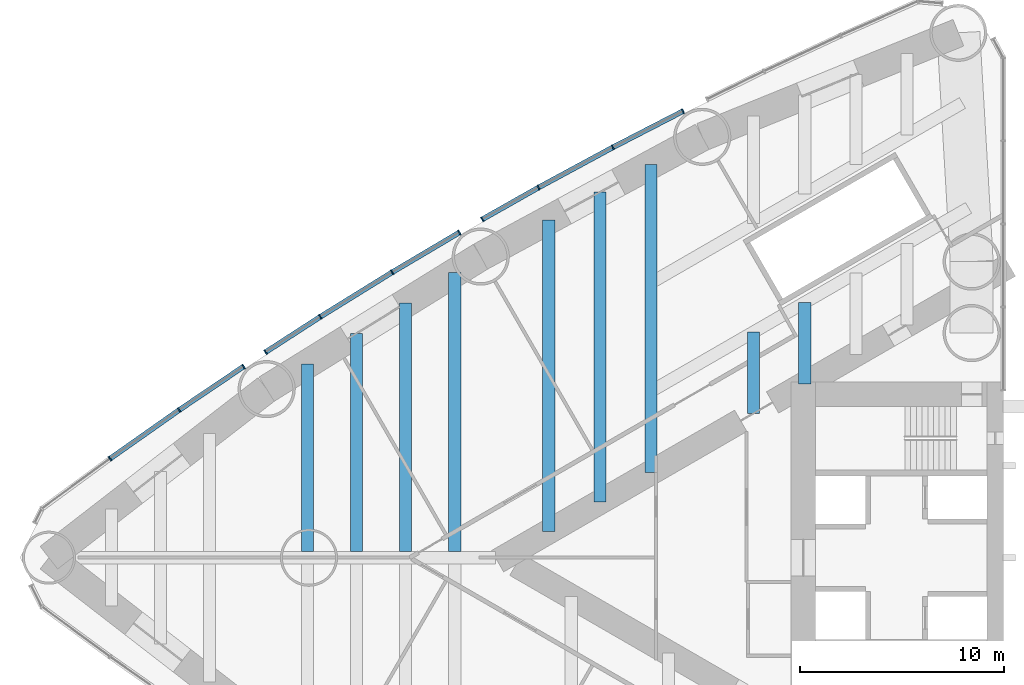
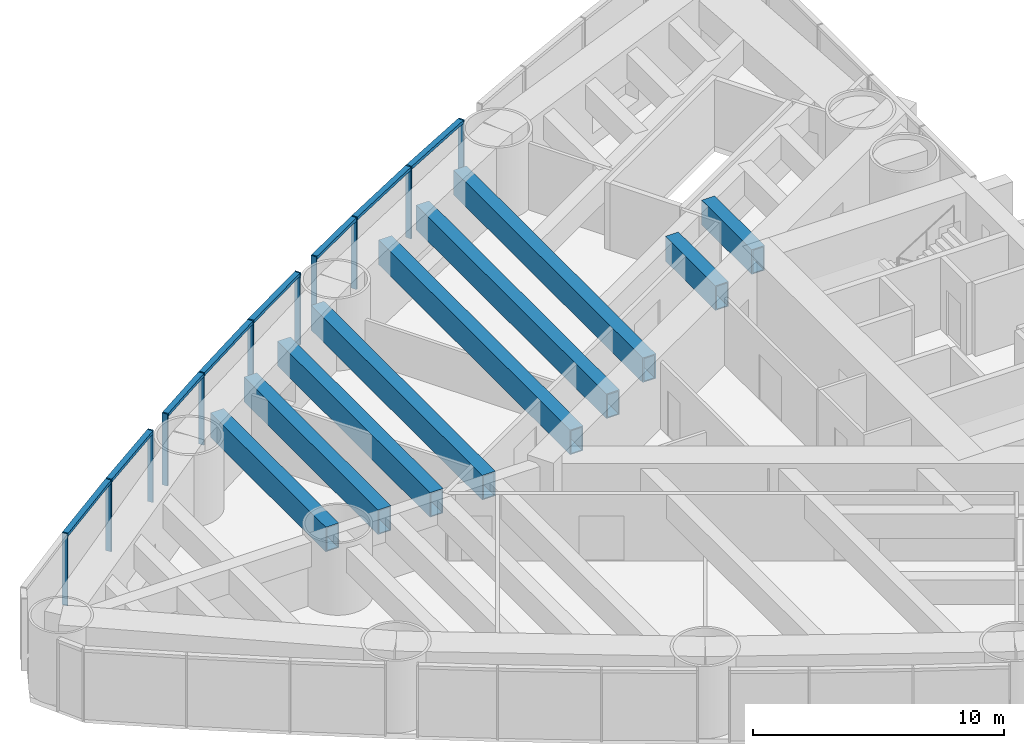
# One storey, part 4 of 20: 19 members, 9 beams, 3 elements without a shape of their own.
"""IFC4 building model written with IfcOpenShell, lengths in metres."""

from ifc_helpers import new_model, si_unit, direction, frame, origin, origin_2d, place, context, subcontext, project, spatial, rectangle, hollow_rectangle, extrude, material, material_profile, profile_set, type_object, element, aggregate, save


model = new_model("IFC4")

# Units and contexts
model_context = context("Model", 3, precision=1e-05, world=origin(), true_north=direction((0.0, 1.0)))
body_context = subcontext(model_context, "Body", "Model", "MODEL_VIEW")
ifc_project = project(units=[si_unit("LENGTHUNIT", "METRE"), si_unit("AREAUNIT", "SQUARE_METRE"), si_unit("VOLUMEUNIT", "CUBIC_METRE"), si_unit("PLANEANGLEUNIT", "RADIAN"), si_unit("MASSUNIT", "GRAM", prefix="KILO")], contexts=[model_context])

# Site, building, storey
site_placement = place(None, origin())
site = spatial("IfcSite", under=ifc_project, at=site_placement, CompositionType="ELEMENT")
building_placement = place(site_placement, origin())
building = spatial("IfcBuilding", under=site, at=building_placement, Name="Lancet Gate Hotel", CompositionType="ELEMENT")
storey_placement = place(building_placement, frame((0.0, 0.0, 77.5)))
storey = spatial("IfcBuildingStorey", under=building, at=storey_placement, Name="L20", CompositionType="ELEMENT", Elevation=77.5)

# Curtain wall, members
ifc_material_1 = material(Name="Aluminium curtain wall", Category="aluminium")
curtain_wall_type = type_object("IfcCurtainWallType", Name="Tower unitised curtain wall", PredefinedType="USERDEFINED", material=ifc_material_1)
curtain_wall_1_placement = place(storey_placement, origin())
curtain_wall_1 = element("IfcCurtainWall", 1, at=curtain_wall_1_placement, inside=storey, type_object=curtain_wall_type, Name="T1 L20 curtain wall 3", ObjectType="UNITISED CURTAIN WALL", PredefinedType="USERDEFINED")
ifc_material_2 = material(Name="Aluminium mullion", Category="aluminium")
ifc_material_profile_1 = material_profile(ifc_material_2, rectangle(XDim=0.06494140625, YDim=0.25, at=origin_2d()), Name="MULLION 65x250")
ifc_profile_set_1 = profile_set([ifc_material_profile_1], Name="Aluminium mullion")
member_type_1 = type_object("IfcMemberType", Name="Aluminium mullion 65x250", PredefinedType="MULLION", material=ifc_profile_set_1)
member_1_placement = place(storey_placement, frame((-43.188232421875, 21.864990234375, 0.0), z_axis=(0.0, 0.0, 1.0), x_axis=(-0.888844019644, -0.458209895946, 0.0)))
member_1 = element("IfcMember", 2, at=member_1_placement, type_object=member_type_1, Name="T1 L20 curtain wall 3 mullion 1", PredefinedType="MULLION", context=body_context, shape_type="SweptSolid", body=[
    extrude(rectangle(XDim=0.06494140625, YDim=0.25, at=origin_2d()), origin(), (0.0, 0.0, 1.0), 3.5),
])
member_2_placement = place(storey_placement, frame((-46.6220703125, 20.094970703125, 0.0), z_axis=(0.0, 0.0, 1.0), x_axis=(-0.884152609717, -0.467198204974, 0.0)))
member_2 = element("IfcMember", 3, at=member_2_placement, type_object=member_type_1, Name="T1 L20 curtain wall 3 mullion 2", PredefinedType="MULLION", context=body_context, shape_type="SweptSolid", body=[
    extrude(rectangle(XDim=0.06494140625, YDim=0.25, at=origin_2d()), origin(), (0.0, 0.0, 1.0), 3.5),
])
member_3_placement = place(storey_placement, frame((-50.26416015625, 18.1259765625, 0.0), z_axis=(0.0, 0.0, 1.0), x_axis=(-0.875625106041, -0.482991380534, 0.0)))
member_3 = element("IfcMember", 4, at=member_3_placement, type_object=member_type_1, Name="T1 L20 curtain wall 3 mullion 3", PredefinedType="MULLION", context=body_context, shape_type="SweptSolid", body=[
    extrude(rectangle(XDim=0.06494140625, YDim=0.25, at=origin_2d()), origin(), (0.0, 0.0, 1.0), 3.5),
])
member_4_placement = place(storey_placement, frame((-53.0166015625, 16.567626953125, 0.0), z_axis=(0.0, 0.0, 1.0), x_axis=(-0.870204720871, -0.492690312238, 0.0)))
member_4 = element("IfcMember", 5, at=member_4_placement, type_object=member_type_1, Name="T1 L20 curtain wall 3 mullion 4", PredefinedType="MULLION", context=body_context, shape_type="SweptSolid", body=[
    extrude(rectangle(XDim=0.06494140625, YDim=0.25, at=origin_2d()), origin(), (0.0, 0.0, 1.0), 3.5),
])

curtain_wall_2_placement = place(storey_placement, origin())
curtain_wall_2 = element("IfcCurtainWall", 6, at=curtain_wall_2_placement, inside=storey, type_object=curtain_wall_type, Name="T1 L20 curtain wall 4", ObjectType="UNITISED CURTAIN WALL", PredefinedType="USERDEFINED")
member_5_placement = place(storey_placement, frame((-54.138916015625, 15.925048828125, 0.0), z_axis=(0.0, 0.0, 1.0), x_axis=(-0.860381857795, -0.509649937484, 0.0)))
member_5 = element("IfcMember", 7, at=member_5_placement, type_object=member_type_1, Name="T1 L20 curtain wall 4 mullion 1", PredefinedType="MULLION", context=body_context, shape_type="SweptSolid", body=[
    extrude(rectangle(XDim=0.06494140625, YDim=0.25, at=origin_2d()), origin(), (0.0, 0.0, 1.0), 3.5),
])
member_6_placement = place(storey_placement, frame((-57.42919921875, 13.97607421875, 0.0), z_axis=(0.0, 0.0, 1.0), x_axis=(-0.855144689417, -0.51838939048, 0.0)))
member_6 = element("IfcMember", 8, at=member_6_placement, type_object=member_type_1, Name="T1 L20 curtain wall 4 mullion 2", PredefinedType="MULLION", context=body_context, shape_type="SweptSolid", body=[
    extrude(rectangle(XDim=0.06494140625, YDim=0.25, at=origin_2d()), origin(), (0.0, 0.0, 1.0), 3.5),
])
member_7_placement = place(storey_placement, frame((-60.949462890625, 11.796630859375, 0.0), z_axis=(0.0, 0.0, 1.0), x_axis=(-0.845709326915, -0.533643827256, 0.0)))
member_7 = element("IfcMember", 9, at=member_7_placement, type_object=member_type_1, Name="T1 L20 curtain wall 4 mullion 3", PredefinedType="MULLION", context=body_context, shape_type="SweptSolid", body=[
    extrude(rectangle(XDim=0.06494140625, YDim=0.25, at=origin_2d()), origin(), (0.0, 0.0, 1.0), 3.5),
])
member_8_placement = place(storey_placement, frame((-63.62646484375, 10.065673828125, 0.0), z_axis=(0.0, 0.0, 1.0), x_axis=(-0.839748568448, -0.54297545229, 0.0)))
member_8 = element("IfcMember", 10, at=member_8_placement, type_object=member_type_1, Name="T1 L20 curtain wall 4 mullion 4", PredefinedType="MULLION", context=body_context, shape_type="SweptSolid", body=[
    extrude(rectangle(XDim=0.06494140625, YDim=0.25, at=origin_2d()), origin(), (0.0, 0.0, 1.0), 3.5),
])

curtain_wall_3_placement = place(storey_placement, origin())
curtain_wall_3 = element("IfcCurtainWall", 11, at=curtain_wall_3_placement, inside=storey, type_object=curtain_wall_type, Name="T1 L20 curtain wall 5", ObjectType="UNITISED CURTAIN WALL", PredefinedType="USERDEFINED")
member_9_placement = place(storey_placement, frame((-64.7041015625, 9.361083984375, 0.0), z_axis=(0.0, 0.0, 1.0), x_axis=(-0.828946067803, -0.559328540907, 0.0)))
member_9 = element("IfcMember", 12, at=member_9_placement, type_object=member_type_1, Name="T1 L20 curtain wall 5 mullion 1", PredefinedType="MULLION", context=body_context, shape_type="SweptSolid", body=[
    extrude(rectangle(XDim=0.06494140625, YDim=0.25, at=origin_2d()), origin(), (0.0, 0.0, 1.0), 3.5),
])
member_10_placement = place(storey_placement, frame((-67.858154296875, 7.232666015625, 0.0), z_axis=(0.0, 0.0, 1.0), x_axis=(-0.823190540814, -0.567765209848, 0.0)))
member_10 = element("IfcMember", 13, at=member_10_placement, type_object=member_type_1, Name="T1 L20 curtain wall 5 mullion 2", PredefinedType="MULLION", context=body_context, shape_type="SweptSolid", body=[
    extrude(rectangle(XDim=0.06494140625, YDim=0.25, at=origin_2d()), origin(), (0.0, 0.0, 1.0), 3.5),
])
member_11_placement = place(storey_placement, frame((-71.244384765625, 4.85009765625, 0.0), z_axis=(0.0, 0.0, 1.0), x_axis=(-0.812146623168, -0.583453393578, 0.0)))
member_11 = element("IfcMember", 14, at=member_11_placement, type_object=member_type_1, Name="T1 L20 curtain wall 5 mullion 3", PredefinedType="MULLION", context=body_context, shape_type="SweptSolid", body=[
    extrude(rectangle(XDim=0.06494140625, YDim=0.25, at=origin_2d()), origin(), (0.0, 0.0, 1.0), 3.5),
])

# Member
ifc_material_3 = material(Name="Aluminium transom", Category="aluminium")
ifc_material_profile_2 = material_profile(ifc_material_3, rectangle(XDim=0.25, YDim=0.14990234375, at=origin_2d()), Name="TRANSOM 250x150")
ifc_profile_set_2 = profile_set([ifc_material_profile_2], Name="Aluminium transom")
member_type_2 = type_object("IfcMemberType", Name="Aluminium transom 250x150", PredefinedType="USERDEFINED", material=ifc_profile_set_2)
member_12_placement = place(storey_placement, frame((-43.21728515625, 21.85009765625, 3.425048828125), z_axis=(-0.888843667926, -0.458210578215, 0.0), x_axis=(0.458210578215, -0.888843667926, 0.0)))
member_12 = element("IfcMember", 15, at=member_12_placement, type_object=member_type_2, Name="T1 L20 curtain wall 3 transom 1", ObjectType="TRANSOM", PredefinedType="USERDEFINED", context=body_context, shape_type="SweptSolid", body=[
    extrude(rectangle(XDim=0.25, YDim=0.14990234375, at=origin_2d()), origin(), (0.0, 0.0, 1.0), 3.7978515625),
])

member_13_placement = place(storey_placement, frame((-46.650634765625, 20.079345703125, 3.425048828125), z_axis=(-0.87971396408, -0.475503250675, 0.0), x_axis=(0.475503250675, -0.87971396408, 0.0)))
member_13 = element("IfcMember", 16, at=member_13_placement, type_object=member_type_2, Name="T1 L20 curtain wall 3 transom 2", ObjectType="TRANSOM", PredefinedType="USERDEFINED", context=body_context, shape_type="SweptSolid", body=[
    extrude(rectangle(XDim=0.25, YDim=0.14990234375, at=origin_2d()), origin(), (0.0, 0.0, 1.0), 4.0751953125),
])

member_14_placement = place(storey_placement, frame((-50.29248046875, 18.110107421875, 3.425048828125), z_axis=(-0.870195654923, -0.49270632445, 0.0), x_axis=(0.49270632445, -0.870195654923, 0.0)))
member_14 = element("IfcMember", 17, at=member_14_placement, type_object=member_type_2, Name="T1 L20 curtain wall 3 transom 3", ObjectType="TRANSOM", PredefinedType="USERDEFINED", context=body_context, shape_type="SweptSolid", body=[
    extrude(rectangle(XDim=0.25, YDim=0.14990234375, at=origin_2d()), origin(), (0.0, 0.0, 1.0), 3.097900390625),
])

aggregate(curtain_wall_1, [member_1, member_2, member_3, member_4, member_12, member_13, member_14])

member_15_placement = place(storey_placement, frame((-54.1669921875, 15.908447265625, 3.425048828125), z_axis=(-0.860395955611, -0.509626137053, 0.0), x_axis=(0.509626137053, -0.860395955611, 0.0)))
member_15 = element("IfcMember", 18, at=member_15_placement, type_object=member_type_2, Name="T1 L20 curtain wall 4 transom 1", ObjectType="TRANSOM", PredefinedType="USERDEFINED", context=body_context, shape_type="SweptSolid", body=[
    extrude(rectangle(XDim=0.25, YDim=0.14990234375, at=origin_2d()), origin(), (0.0, 0.0, 1.0), 3.75927734375),
])

member_16_placement = place(storey_placement, frame((-57.456787109375, 13.958984375, 3.425048828125), z_axis=(-0.850242165643, -0.526391736032, 0.0), x_axis=(0.526391736032, -0.850242165643, 0.0)))
member_16 = element("IfcMember", 19, at=member_16_placement, type_object=member_type_2, Name="T1 L20 curtain wall 4 transom 2", ObjectType="TRANSOM", PredefinedType="USERDEFINED", context=body_context, shape_type="SweptSolid", body=[
    extrude(rectangle(XDim=0.25, YDim=0.14990234375, at=origin_2d()), origin(), (0.0, 0.0, 1.0), 4.075439453125),
])

member_17_placement = place(storey_placement, frame((-60.976806640625, 11.779052734375, 3.425048828125), z_axis=(-0.839737903766, -0.542991945593, 0.0), x_axis=(0.542991945593, -0.839737903766, 0.0)))
member_17 = element("IfcMember", 20, at=member_17_placement, type_object=member_type_2, Name="T1 L20 curtain wall 4 transom 3", ObjectType="TRANSOM", PredefinedType="USERDEFINED", context=body_context, shape_type="SweptSolid", body=[
    extrude(rectangle(XDim=0.25, YDim=0.14990234375, at=origin_2d()), origin(), (0.0, 0.0, 1.0), 3.123046875),
])

aggregate(curtain_wall_2, [member_5, member_6, member_7, member_8, member_15, member_16, member_17])

member_18_placement = place(storey_placement, frame((-64.73095703125, 9.343017578125, 3.425048828125), z_axis=(-0.828934175642, -0.559346165137, 0.0), x_axis=(0.559346165137, -0.828934175642, 0.0)))
member_18 = element("IfcMember", 21, at=member_18_placement, type_object=member_type_2, Name="T1 L20 curtain wall 5 transom 1", ObjectType="TRANSOM", PredefinedType="USERDEFINED", context=body_context, shape_type="SweptSolid", body=[
    extrude(rectangle(XDim=0.25, YDim=0.14990234375, at=origin_2d()), origin(), (0.0, 0.0, 1.0), 3.740234375),
])

member_19_placement = place(storey_placement, frame((-67.884765625, 7.214111328125, 3.425048828125), z_axis=(-0.817833568345, -0.57545482402, 0.0), x_axis=(0.57545482402, -0.817833568345, 0.0)))
member_19 = element("IfcMember", 22, at=member_19_placement, type_object=member_type_2, Name="T1 L20 curtain wall 5 transom 2", ObjectType="TRANSOM", PredefinedType="USERDEFINED", context=body_context, shape_type="SweptSolid", body=[
    extrude(rectangle(XDim=0.25, YDim=0.14990234375, at=origin_2d()), origin(), (0.0, 0.0, 1.0), 4.075439453125),
])

aggregate(curtain_wall_3, [member_9, member_10, member_11, member_18, member_19])

# Beams
ifc_material_4 = material(Name="Steel S460QL", Category="steel")
ifc_material_profile_3 = material_profile(ifc_material_4, hollow_rectangle(XDim=0.60009765625, YDim=1.199951171875, WallThickness=0.050048828125, at=origin_2d()), Name="BOX 1200x600x50")
ifc_profile_set_3 = profile_set([ifc_material_profile_3], Name="Steel S460QL")
beam_type = type_object("IfcBeamType", Name="Refuge floor beam BOX 1200x600x50", PredefinedType="BEAM", material=ifc_profile_set_3)
beam_1_placement = place(storey_placement, frame((-44.747802734375, 19.254638671875, 2.64990234375), z_axis=(0.0, -1.0, 0.0), x_axis=(1.0, 0.0, 0.0)))
element("IfcBeam", 23, at=beam_1_placement, inside=storey, type_object=beam_type, Name="T1 floor beam F09S L20", PredefinedType="BEAM", context=body_context, shape_type="SweptSolid", body=[
    extrude(hollow_rectangle(XDim=0.60009765625, YDim=1.199951171875, WallThickness=0.050048828125, at=origin_2d()), origin(), (0.0, 0.0, 1.0), 15.0859375),
])
beam_2_placement = place(storey_placement, frame((-47.254638671875, 17.8994140625, 2.64990234375), z_axis=(0.0, -1.0, 0.0), x_axis=(1.0, 0.0, 0.0)))
element("IfcBeam", 24, at=beam_2_placement, inside=storey, type_object=beam_type, Name="T1 floor beam F10S L20", PredefinedType="BEAM", context=body_context, shape_type="SweptSolid", body=[
    extrude(hollow_rectangle(XDim=0.60009765625, YDim=1.199951171875, WallThickness=0.050048828125, at=origin_2d()), origin(), (0.0, 0.0, 1.0), 15.177978515625),
])
beam_3_placement = place(storey_placement, frame((-49.761474609375, 16.54443359375, 2.64990234375), z_axis=(0.0, -1.0, 0.0), x_axis=(1.0, 0.0, 0.0)))
element("IfcBeam", 25, at=beam_3_placement, inside=storey, type_object=beam_type, Name="T1 floor beam F12S L20", PredefinedType="BEAM", context=body_context, shape_type="SweptSolid", body=[
    extrude(hollow_rectangle(XDim=0.60009765625, YDim=1.199951171875, WallThickness=0.050048828125, at=origin_2d()), origin(), (0.0, 0.0, 1.0), 15.270263671875),
])
beam_4_placement = place(storey_placement, frame((-54.3681640625, 13.95361328125, 2.64990234375), z_axis=(0.0, -1.0, 0.0), x_axis=(1.0, 0.0, 0.0)))
element("IfcBeam", 26, at=beam_4_placement, inside=storey, type_object=beam_type, Name="T1 floor beam F13S L20", PredefinedType="BEAM", context=body_context, shape_type="SweptSolid", body=[
    extrude(hollow_rectangle(XDim=0.60009765625, YDim=1.199951171875, WallThickness=0.050048828125, at=origin_2d()), origin(), (0.0, 0.0, 1.0), 13.653564453125),
])
beam_5_placement = place(storey_placement, frame((-56.768310546875, 12.467529296875, 2.64990234375), z_axis=(0.0, -1.0, 0.0), x_axis=(1.0, 0.0, 0.0)))
element("IfcBeam", 27, at=beam_5_placement, inside=storey, type_object=beam_type, Name="T1 floor beam F15S L20", PredefinedType="BEAM", context=body_context, shape_type="SweptSolid", body=[
    extrude(hollow_rectangle(XDim=0.60009765625, YDim=1.199951171875, WallThickness=0.050048828125, at=origin_2d()), origin(), (0.0, 0.0, 1.0), 12.16748046875),
])
beam_6_placement = place(storey_placement, frame((-59.168212890625, 10.981689453125, 2.64990234375), z_axis=(0.0, -1.0, 0.0), x_axis=(1.0, 0.0, 0.0)))
element("IfcBeam", 28, at=beam_6_placement, inside=storey, type_object=beam_type, Name="T1 floor beam F17S L20", PredefinedType="BEAM", context=body_context, shape_type="SweptSolid", body=[
    extrude(hollow_rectangle(XDim=0.60009765625, YDim=1.199951171875, WallThickness=0.050048828125, at=origin_2d()), origin(), (0.0, 0.0, 1.0), 10.681640625),
])
beam_7_placement = place(storey_placement, frame((-61.568359375, 9.495849609375, 2.64990234375), z_axis=(0.0, -1.0, 0.0), x_axis=(1.0, 0.0, 0.0)))
element("IfcBeam", 29, at=beam_7_placement, inside=storey, type_object=beam_type, Name="T1 floor beam F19S L20", PredefinedType="BEAM", context=body_context, shape_type="SweptSolid", body=[
    extrude(hollow_rectangle(XDim=0.60009765625, YDim=1.199951171875, WallThickness=0.050048828125, at=origin_2d()), origin(), (0.0, 0.0, 1.0), 9.19580078125),
])
beam_8_placement = place(storey_placement, frame((-37.227294921875, 12.494384765625, 2.64990234375), z_axis=(0.0, -1.0, 0.0), x_axis=(1.0, 0.0, 0.0)))
element("IfcBeam", 30, at=beam_8_placement, inside=storey, type_object=beam_type, Name="T1 floor beam F05SB L20", PredefinedType="BEAM", context=body_context, shape_type="SweptSolid", body=[
    extrude(hollow_rectangle(XDim=0.60009765625, YDim=1.199951171875, WallThickness=0.050048828125, at=origin_2d()), origin(), (0.0, 0.0, 1.0), 3.983642578125),
])
beam_9_placement = place(storey_placement, frame((-39.734130859375, 11.046875, 2.64990234375), z_axis=(0.0, -1.0, 0.0), x_axis=(1.0, 0.0, 0.0)))
element("IfcBeam", 31, at=beam_9_placement, inside=storey, type_object=beam_type, Name="T1 floor beam F07SB L20", PredefinedType="BEAM", context=body_context, shape_type="SweptSolid", body=[
    extrude(hollow_rectangle(XDim=0.60009765625, YDim=1.199951171875, WallThickness=0.050048828125, at=origin_2d()), origin(), (0.0, 0.0, 1.0), 3.9833984375),
])

save(model, "model.ifc")
